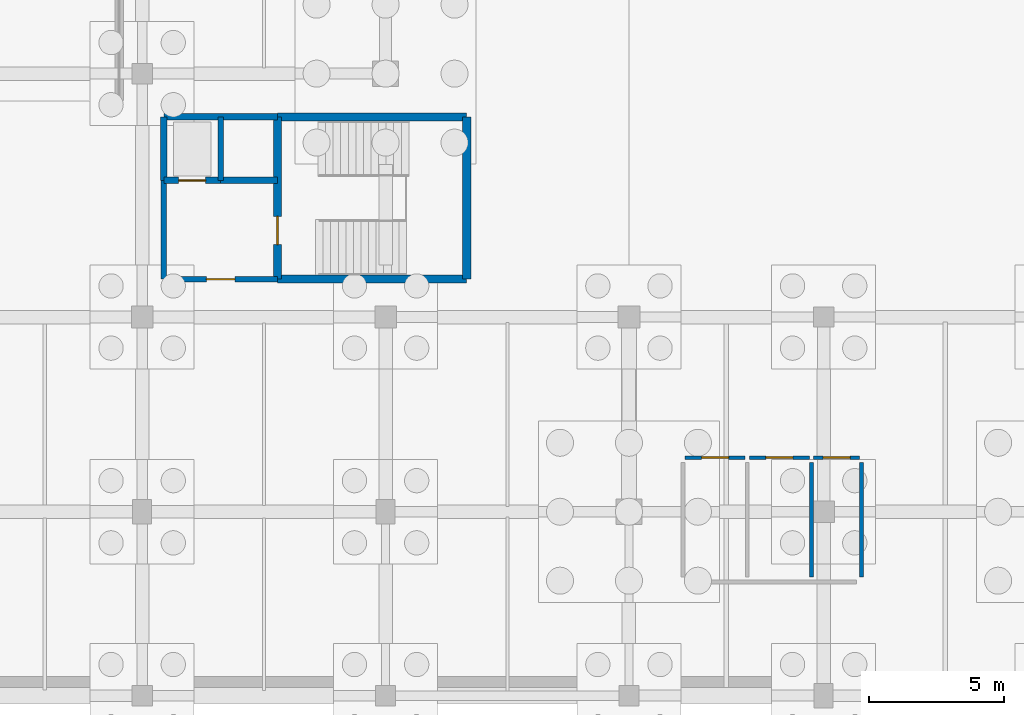
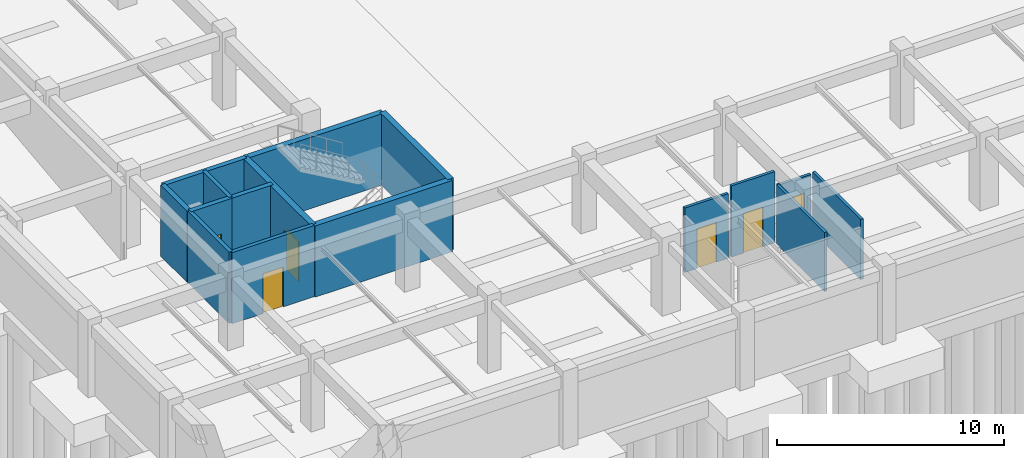
# One storey, part 29 of 42: 16 walls, 6 doors, 6 openings.
"""IFC4 building model written with IfcOpenShell, lengths in metres."""

from ifc_helpers import new_model, si_unit, direction, frame, frame_2d, origin, place, context, subcontext, project, spatial, rectangle, extrude, material, layer, layer_set, type_object, element, fill, save


model = new_model("IFC4")

# Units and contexts
model_context = context("Model", 3, precision=1e-05, world=origin(), true_north=direction((0.0, 1.0)))
body_context = subcontext(model_context, "Body", "Model", "MODEL_VIEW")
ifc_project = project(units=[si_unit("LENGTHUNIT", "METRE"), si_unit("AREAUNIT", "SQUARE_METRE"), si_unit("VOLUMEUNIT", "CUBIC_METRE"), si_unit("PLANEANGLEUNIT", "RADIAN"), si_unit("MASSUNIT", "GRAM", prefix="KILO")], contexts=[model_context])

# Site, building, storey
site_placement = place(None, origin())
site = spatial("IfcSite", under=ifc_project, at=site_placement, CompositionType="ELEMENT")
building_placement = place(site_placement, origin())
building = spatial("IfcBuilding", under=site, at=building_placement, Name="Clarverna Civic Hall", CompositionType="ELEMENT")
storey_placement = place(building_placement, frame((0.0, 0.0, -4.199951171875)))
storey = spatial("IfcBuildingStorey", under=building, at=storey_placement, Name="B01", CompositionType="ELEMENT", Elevation=-4.199951171875)

# Walls
ifc_material_1 = material(Name="Ceramic Brick and Plaster Wet-Room Partition", Category="masonry")
ifc_layer_1 = layer(ifc_material_1, 0.139892578125)
ifc_layer_set_1 = layer_set([ifc_layer_1], Name="Ceramic Brick and Plaster Wet-Room Partition")
wall_type_1 = type_object("IfcWallType", Name="PW-02", PredefinedType="PARTITIONING", material=ifc_layer_set_1)
wall_1_placement = place(storey_placement, frame((33.800048828125, 4.3798828125, 0.0), z_axis=(0.0, 0.0, 1.0), x_axis=(0.0, 1.0, 0.0)))
element("IfcWall", 1, at=wall_1_placement, inside=storey, type_object=wall_type_1, Name="PW-02-163", PredefinedType="PARTITIONING", context=body_context, shape_type="SweptSolid", body=[
    extrude(rectangle(XDim=4.240234375, YDim=0.139892578125, at=frame_2d((2.1201171875, 0.0))), origin(), (0.0, 0.0, 1.0), 3.239990234375),
])
wall_2_placement = place(storey_placement, frame((31.951904296875, 4.3798828125, 0.0), z_axis=(0.0, 0.0, 1.0), x_axis=(0.0, 1.0, 0.0)))
element("IfcWall", 2, at=wall_2_placement, inside=storey, type_object=wall_type_1, Name="PW-02-165", PredefinedType="PARTITIONING", context=body_context, shape_type="SweptSolid", body=[
    extrude(rectangle(XDim=4.240234375, YDim=0.139892578125, at=frame_2d((2.1201171875, 0.0))), origin(), (0.0, 0.0, 1.0), 3.18994140625),
])

# Wall, opening, door
wall_3_placement = place(storey_placement, frame((27.280029296875, 8.800048828125, 0.0), z_axis=(0.0, 0.0, 1.0), x_axis=(1.0, 0.0, 0.0)))
wall_3 = element("IfcWall", 3, at=wall_3_placement, inside=storey, type_object=wall_type_1, Name="PW-02-166", PredefinedType="PARTITIONING", context=body_context, shape_type="SweptSolid", body=[
    extrude(rectangle(XDim=2.216064453125, YDim=0.139892578125, at=frame_2d((1.10791015625, 0.0))), origin(), (0.0, 0.0, 1.0), 3.47998046875),
])
opening_1_placement = place(wall_3_placement, frame((0.60791015625, 0.0, 0.0)))
opening_1 = element("IfcOpeningElement", 4, at=opening_1_placement, cuts=wall_3, Name="Opening ID-02", PredefinedType="OPENING", context=body_context, shape_type="SweptSolid", body=[
    extrude(rectangle(XDim=1.0, YDim=2.14990234375, at=frame_2d((0.5, 1.074951171875))), frame((0.0, 0.079833984375, 0.0), z_axis=(0.0, -1.0, 0.0), x_axis=(1.0, 0.0, 0.0)), (0.0, 0.0, 1.0), 0.159912109375),
])
ifc_material_2 = material(Name="European Oak Veneered Acoustic Timber Door", Category="wood")
door_type_1 = type_object("IfcDoorType", Name="ID-02", OperationType="NOTDEFINED", PredefinedType="DOOR", material=ifc_material_2)
door_1_placement = place(opening_1_placement, origin())
door_1 = element("IfcDoor", 5, at=door_1_placement, inside=storey, type_object=door_type_1, Name="ID-02-061", OperationType="SINGLE_SWING_LEFT", OverallHeight=2.14990234375, OverallWidth=1.0, PredefinedType="DOOR", context=body_context, shape_type="SweptSolid", body=[
    extrude(rectangle(XDim=1.0, YDim=2.14990234375, at=frame_2d((0.5, 1.074951171875))), frame((0.0, 0.02490234375, 0.0), z_axis=(0.0, -1.0, 0.0), x_axis=(1.0, 0.0, 0.0)), (0.0, 0.0, 1.0), 0.050048828125),
])
fill(opening_1, door_1)

wall_4_placement = place(storey_placement, frame((29.656005859375, 8.800048828125, 0.0), z_axis=(0.0, 0.0, 1.0), x_axis=(1.0, 0.0, 0.0)))
wall_4 = element("IfcWall", 6, at=wall_4_placement, inside=storey, type_object=wall_type_1, Name="PW-02-167", PredefinedType="PARTITIONING", context=body_context, shape_type="SweptSolid", body=[
    extrude(rectangle(XDim=2.216064453125, YDim=0.139892578125, at=frame_2d((1.10791015625, 0.0))), origin(), (0.0, 0.0, 1.0), 3.83984375),
])
opening_2_placement = place(wall_4_placement, frame((0.60791015625, 0.0, 0.0)))
opening_2 = element("IfcOpeningElement", 7, at=opening_2_placement, cuts=wall_4, Name="Opening ID-02", PredefinedType="OPENING", context=body_context, shape_type="SweptSolid", body=[
    extrude(rectangle(XDim=1.0, YDim=2.14990234375, at=frame_2d((0.5, 1.074951171875))), frame((0.0, 0.079833984375, 0.0), z_axis=(0.0, -1.0, 0.0), x_axis=(1.0, 0.0, 0.0)), (0.0, 0.0, 1.0), 0.159912109375),
])
door_2_placement = place(opening_2_placement, origin())
door_2 = element("IfcDoor", 8, at=door_2_placement, inside=storey, type_object=door_type_1, Name="ID-02-062", OperationType="SINGLE_SWING_RIGHT", OverallHeight=2.14990234375, OverallWidth=1.0, PredefinedType="DOOR", context=body_context, shape_type="SweptSolid", body=[
    extrude(rectangle(XDim=1.0, YDim=2.14990234375, at=frame_2d((0.5, 1.074951171875))), frame((0.0, 0.02490234375, 0.0), z_axis=(0.0, -1.0, 0.0), x_axis=(1.0, 0.0, 0.0)), (0.0, 0.0, 1.0), 0.050048828125),
])
fill(opening_2, door_2)

wall_5_placement = place(storey_placement, frame((32.031982421875, 8.800048828125, 0.0), z_axis=(0.0, 0.0, 1.0), x_axis=(1.0, 0.0, 0.0)))
wall_5 = element("IfcWall", 9, at=wall_5_placement, inside=storey, type_object=wall_type_1, Name="PW-02-168", PredefinedType="PARTITIONING", context=body_context, shape_type="SweptSolid", body=[
    extrude(rectangle(XDim=1.68798828125, YDim=0.139892578125, at=frame_2d((0.843994140625, 0.0))), origin(), (0.0, 0.0, 1.0), 3.0400390625),
])
opening_3_placement = place(wall_5_placement, frame((0.343994140625, 0.0, 0.0)))
opening_3 = element("IfcOpeningElement", 10, at=opening_3_placement, cuts=wall_5, Name="Opening ID-02", PredefinedType="OPENING", context=body_context, shape_type="SweptSolid", body=[
    extrude(rectangle(XDim=1.0, YDim=2.14990234375, at=frame_2d((0.5, 1.074951171875))), frame((0.0, 0.079833984375, 0.0), z_axis=(0.0, -1.0, 0.0), x_axis=(1.0, 0.0, 0.0)), (0.0, 0.0, 1.0), 0.159912109375),
])
door_3_placement = place(opening_3_placement, origin())
door_3 = element("IfcDoor", 11, at=door_3_placement, inside=storey, type_object=door_type_1, Name="ID-02-063", OperationType="SINGLE_SWING_LEFT", OverallHeight=2.14990234375, OverallWidth=1.0, PredefinedType="DOOR", context=body_context, shape_type="SweptSolid", body=[
    extrude(rectangle(XDim=1.0, YDim=2.14990234375, at=frame_2d((0.5, 1.074951171875))), frame((0.0, 0.02490234375, 0.0), z_axis=(0.0, -1.0, 0.0), x_axis=(1.0, 0.0, 0.0)), (0.0, 0.0, 1.0), 0.050048828125),
])
fill(opening_3, door_3)

# Wall
ifc_material_3 = material(Name="Acoustic Gypsum Plasterboard on Twin Frame", Category="gypsum")
ifc_layer_2 = layer(ifc_material_3, 0.18994140625)
ifc_layer_set_2 = layer_set([ifc_layer_2], Name="Acoustic Gypsum Plasterboard on Twin Frame")
wall_type_2 = type_object("IfcWallType", Name="PW-06", PredefinedType="PARTITIONING", material=ifc_layer_set_2)
wall_6_placement = place(storey_placement, frame((8.0, 15.39990234375, 0.0), z_axis=(0.0, 0.0, 1.0), x_axis=(0.0, 1.0, 0.0)))
element("IfcWall", 12, at=wall_6_placement, inside=storey, type_object=wall_type_2, Name="PW-06-079", PredefinedType="PARTITIONING", context=body_context, shape_type="SweptSolid", body=[
    extrude(rectangle(XDim=3.650146484375, YDim=0.18994140625, at=frame_2d((1.8251953125, 0.0))), origin(), (0.0, 0.0, 1.0), 3.83984375),
])

# Wall, opening, door
wall_7_placement = place(storey_placement, frame((8.0, 15.39990234375, 0.0), z_axis=(0.0, 0.0, 1.0), x_axis=(1.0, 0.0, 0.0)))
wall_7 = element("IfcWall", 13, at=wall_7_placement, inside=storey, type_object=wall_type_2, Name="PW-06-080", PredefinedType="PARTITIONING", context=body_context, shape_type="SweptSolid", body=[
    extrude(rectangle(XDim=4.199951171875, YDim=0.18994140625, at=frame_2d((2.10009765625, 0.0))), origin(), (0.0, 0.0, 1.0), 3.83984375),
])
opening_4_placement = place(wall_7_placement, frame((1.574951171875, 0.0, 0.0)))
opening_4 = element("IfcOpeningElement", 14, at=opening_4_placement, cuts=wall_7, Name="Opening FD-02", PredefinedType="OPENING", context=body_context, shape_type="SweptSolid", body=[
    extrude(rectangle(XDim=1.050048828125, YDim=2.14990234375, at=frame_2d((0.52490234375, 1.074951171875))), frame((0.0, 0.10498046875, 0.0), z_axis=(0.0, -1.0, 0.0), x_axis=(1.0, 0.0, 0.0)), (0.0, 0.0, 1.0), 0.2099609375),
])
ifc_material_4 = material(Name="Acoustic Timber-Faced Fire Door", Category="wood")
door_type_2 = type_object("IfcDoorType", Name="FD-02", OperationType="NOTDEFINED", PredefinedType="DOOR", material=ifc_material_4)
door_4_placement = place(opening_4_placement, origin())
door_4 = element("IfcDoor", 15, at=door_4_placement, inside=storey, type_object=door_type_2, Name="FD-02-074", OperationType="SINGLE_SWING_RIGHT", OverallHeight=2.14990234375, OverallWidth=1.050048828125, PredefinedType="DOOR", context=body_context, shape_type="SweptSolid", body=[
    extrude(rectangle(XDim=1.050048828125, YDim=2.14990234375, at=frame_2d((0.52490234375, 1.074951171875))), frame((0.0, 0.02490234375, 0.0), z_axis=(0.0, -1.0, 0.0), x_axis=(1.0, 0.0, 0.0)), (0.0, 0.0, 1.0), 0.050048828125),
])
fill(opening_4, door_4)

ifc_material_5 = material(Name="Concrete C35/45", Category="concrete")
ifc_layer_3 = layer(ifc_material_5, 0.300048828125)
ifc_layer_set_3 = layer_set([ifc_layer_3], Name="Concrete C35/45")
wall_type_3 = type_object("IfcWallType", Name="SW-03", PredefinedType="SHEAR", material=ifc_layer_set_3)
wall_8_placement = place(storey_placement, frame((12.199951171875, 15.39990234375, 0.0), z_axis=(0.0, 0.0, 1.0), x_axis=(0.0, 1.0, 0.0)))
wall_8 = element("IfcWall", 16, at=wall_8_placement, inside=storey, type_object=wall_type_3, Name="SW-03-100", PredefinedType="SHEAR", context=body_context, shape_type="SweptSolid", body=[
    extrude(rectangle(XDim=6.0, YDim=0.300048828125, at=frame_2d((3.0, 0.0))), origin(), (0.0, 0.0, 1.0), 3.83984375),
])
opening_5_placement = place(wall_8_placement, frame((1.27490234375, 0.0, 0.0)))
opening_5 = element("IfcOpeningElement", 17, at=opening_5_placement, cuts=wall_8, Name="Opening FD-02", PredefinedType="OPENING", context=body_context, shape_type="SweptSolid", body=[
    extrude(rectangle(XDim=1.050048828125, YDim=2.14990234375, at=frame_2d((0.52490234375, 1.074951171875))), frame((0.0, 0.159912109375, 0.0), z_axis=(0.0, -1.0, 0.0), x_axis=(1.0, 0.0, 0.0)), (0.0, 0.0, 1.0), 0.320068359375),
])
door_5_placement = place(opening_5_placement, origin())
door_5 = element("IfcDoor", 18, at=door_5_placement, inside=storey, type_object=door_type_2, Name="FD-02-073", OperationType="SINGLE_SWING_LEFT", OverallHeight=2.14990234375, OverallWidth=1.050048828125, PredefinedType="DOOR", context=body_context, shape_type="SweptSolid", body=[
    extrude(rectangle(XDim=1.050048828125, YDim=2.14990234375, at=frame_2d((0.52490234375, 1.074951171875))), frame((0.0, 0.02490234375, 0.0), z_axis=(0.0, -1.0, 0.0), x_axis=(1.0, 0.0, 0.0)), (0.0, 0.0, 1.0), 0.050048828125),
])
fill(opening_5, door_5)

# Walls
wall_9_placement = place(storey_placement, frame((19.199951171875, 15.39990234375, 0.0), z_axis=(0.0, 0.0, 1.0), x_axis=(0.0, 1.0, 0.0)))
element("IfcWall", 19, at=wall_9_placement, inside=storey, type_object=wall_type_3, Name="SW-03-101", PredefinedType="SHEAR", context=body_context, shape_type="SweptSolid", body=[
    extrude(rectangle(XDim=6.0, YDim=0.300048828125, at=frame_2d((3.0, 0.0))), origin(), (0.0, 0.0, 1.0), 3.83984375),
])
for number, where, z_axis, x_axis, name in (
    (20, (12.199951171875, 15.39990234375, 0.0), (0.0, 0.0, 1.0), (1.0, 0.0, 0.0), "SW-03-102"),
    (21, (12.199951171875, 21.39990234375, 0.0), (0.0, 0.0, 1.0), (1.0, 0.0, 0.0), "SW-03-103"),
):
    element("IfcWall", number, at=place(storey_placement, frame(where, z_axis=z_axis, x_axis=x_axis)), inside=storey, type_object=wall_type_3, Name=name, PredefinedType="SHEAR", context=body_context, shape_type="SweptSolid", body=[
        extrude(rectangle(XDim=7.0, YDim=0.300048828125, at=frame_2d((3.5, 0.0))), origin(), (0.0, 0.0, 1.0), 3.83984375),
    ])
wall_10_placement = place(storey_placement, frame((8.0, 21.39990234375, 0.0), z_axis=(0.0, 0.0, 1.0), x_axis=(1.0, 0.0, 0.0)))
element("IfcWall", 22, at=wall_10_placement, inside=storey, type_object=wall_type_3, Name="SW-03-104", PredefinedType="SHEAR", context=body_context, shape_type="SweptSolid", body=[
    extrude(rectangle(XDim=4.199951171875, YDim=0.239990234375, at=frame_2d((2.10009765625, 0.0))), origin(), (0.0, 0.0, 1.0), 3.83984375),
])
wall_11_placement = place(storey_placement, frame((8.0, 19.050048828125, 0.0), z_axis=(0.0, 0.0, 1.0), x_axis=(0.0, 1.0, 0.0)))
element("IfcWall", 23, at=wall_11_placement, inside=storey, type_object=wall_type_3, Name="SW-03-105", PredefinedType="SHEAR", context=body_context, shape_type="SweptSolid", body=[
    extrude(rectangle(XDim=2.349853515625, YDim=0.239990234375, at=frame_2d((1.1748046875, 0.0))), origin(), (0.0, 0.0, 1.0), 3.83984375),
])
wall_12_placement = place(storey_placement, frame((10.10009765625, 19.050048828125, 0.0), z_axis=(0.0, 0.0, 1.0), x_axis=(0.0, 1.0, 0.0)))
element("IfcWall", 24, at=wall_12_placement, inside=storey, type_object=wall_type_3, Name="SW-03-106", PredefinedType="SHEAR", context=body_context, shape_type="SweptSolid", body=[
    extrude(rectangle(XDim=2.349853515625, YDim=0.199951171875, at=frame_2d((1.1748046875, 0.0))), origin(), (0.0, 0.0, 1.0), 3.83984375),
])

# Wall, opening, door
wall_13_placement = place(storey_placement, frame((8.0, 19.050048828125, 0.0), z_axis=(0.0, 0.0, 1.0), x_axis=(1.0, 0.0, 0.0)))
wall_13 = element("IfcWall", 25, at=wall_13_placement, inside=storey, type_object=wall_type_3, Name="SW-03-107", PredefinedType="SHEAR", context=body_context, shape_type="SweptSolid", body=[
    extrude(rectangle(XDim=2.10009765625, YDim=0.239990234375, at=frame_2d((1.050048828125, 0.0))), origin(), (0.0, 0.0, 1.0), 3.83984375),
])
opening_6_placement = place(wall_13_placement, frame((0.550048828125, 0.0, 0.0)))
opening_6 = element("IfcOpeningElement", 26, at=opening_6_placement, cuts=wall_13, Name="Opening LD-01", PredefinedType="OPENING", context=body_context, shape_type="SweptSolid", body=[
    extrude(rectangle(XDim=1.0, YDim=2.10009765625, at=frame_2d((0.5, 1.050048828125))), frame((0.0, 0.1298828125, 0.0), z_axis=(0.0, -1.0, 0.0), x_axis=(1.0, 0.0, 0.0)), (0.0, 0.0, 1.0), 0.260009765625),
])
ifc_material_6 = material(Name="Brushed Bronze Stainless Lift Landing Door")
door_type_3 = type_object("IfcDoorType", Name="LD-01", OperationType="SLIDING_TO_LEFT", PredefinedType="DOOR", material=ifc_material_6)
door_6_placement = place(opening_6_placement, origin())
door_6 = element("IfcDoor", 27, at=door_6_placement, inside=storey, type_object=door_type_3, Name="LD-01-059", OperationType="SLIDING_TO_LEFT", OverallHeight=2.10009765625, OverallWidth=1.0, PredefinedType="DOOR", context=body_context, shape_type="SweptSolid", body=[
    extrude(rectangle(XDim=1.0, YDim=2.10009765625, at=frame_2d((0.5, 1.050048828125))), frame((0.0, 0.02490234375, 0.0), z_axis=(0.0, -1.0, 0.0), x_axis=(1.0, 0.0, 0.0)), (0.0, 0.0, 1.0), 0.050048828125),
])
fill(opening_6, door_6)

# Wall
wall_14_placement = place(storey_placement, frame((10.10009765625, 19.050048828125, 0.0), z_axis=(0.0, 0.0, 1.0), x_axis=(1.0, 0.0, 0.0)))
element("IfcWall", 28, at=wall_14_placement, inside=storey, type_object=wall_type_3, Name="SW-03-108", PredefinedType="SHEAR", context=body_context, shape_type="SweptSolid", body=[
    extrude(rectangle(XDim=2.099853515625, YDim=0.239990234375, at=frame_2d((1.0498046875, 0.0))), origin(), (0.0, 0.0, 1.0), 3.83984375),
])

save(model, "model.ifc")
